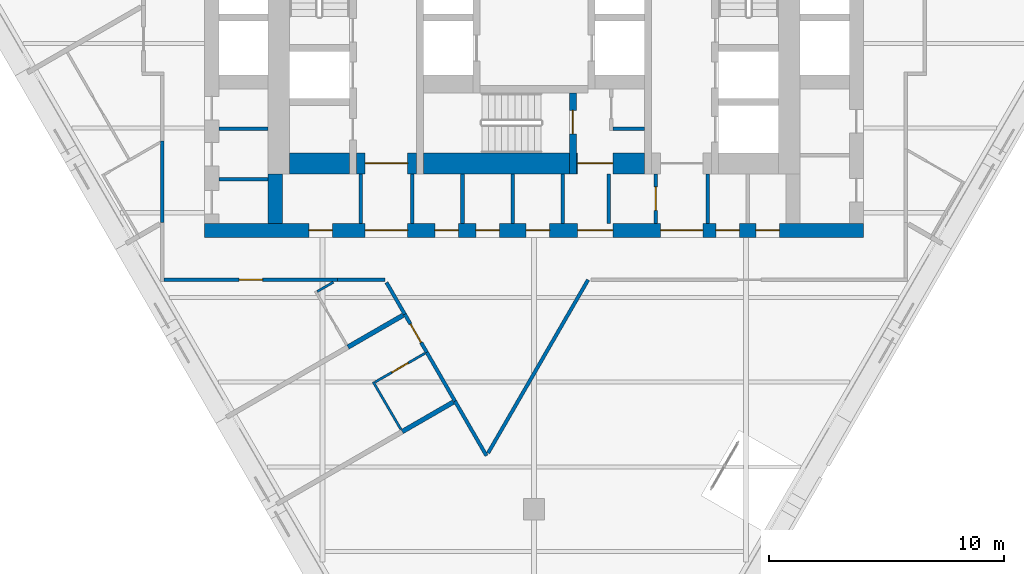
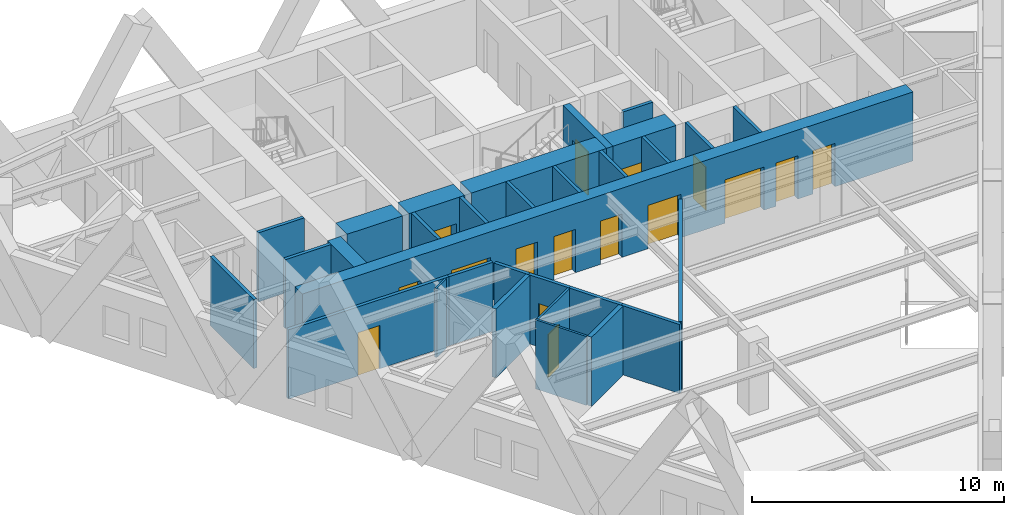
# One storey, part 5 of 10: 31 walls, 16 doors, 16 openings.
"""IFC4 building model written with IfcOpenShell, lengths in metres."""

from ifc_helpers import new_model, si_unit, direction, frame, frame_2d, origin, place, context, subcontext, project, spatial, rectangle, extrude, material, layer, layer_set, type_object, element, fill, save


model = new_model("IFC4")

# Units and contexts
model_context = context("Model", 3, precision=1e-05, world=origin(), true_north=direction((0.0, 1.0)))
body_context = subcontext(model_context, "Body", "Model", "MODEL_VIEW")
ifc_project = project(units=[si_unit("LENGTHUNIT", "METRE"), si_unit("AREAUNIT", "SQUARE_METRE"), si_unit("VOLUMEUNIT", "CUBIC_METRE"), si_unit("PLANEANGLEUNIT", "RADIAN"), si_unit("MASSUNIT", "GRAM", prefix="KILO")], contexts=[model_context])

# Site, building, storey
site_placement = place(None, origin())
site = spatial("IfcSite", under=ifc_project, at=site_placement, CompositionType="ELEMENT")
building_placement = place(site_placement, origin())
building = spatial("IfcBuilding", under=site, at=building_placement, Name="Aloe Facet Convention Tower", CompositionType="ELEMENT")
storey_placement = place(building_placement, frame((0.0, 0.0, 116.800048828125)))
storey = spatial("IfcBuildingStorey", under=building, at=storey_placement, Name="L29", CompositionType="ELEMENT", Elevation=116.800048828125)

# Walls
ifc_material_1 = material(Name="Concrete blockwork partition", Category="masonry")
ifc_layer_1 = layer(ifc_material_1, 0.14990234375)
ifc_layer_set_1 = layer_set([ifc_layer_1], Name="CR-W-PART150")
wall_type_1 = type_object("IfcWallType", Name="CR-W-PART150", PredefinedType="PARTITIONING", material=ifc_layer_set_1)
for number, where, z_axis, x_axis, name in (
    (1, (66.60009765625, 124.16455078125, 0.0), (0.0, 0.0, 1.0), (1.0, 0.0, 0.0), "Core partition L29-007"),
    (2, (66.60009765625, 122.02490234375, 0.0), (0.0, 0.0, 1.0), (1.0, 0.0, 0.0), "Core partition L29-008"),
):
    element("IfcWall", number, at=place(storey_placement, frame(where, z_axis=z_axis, x_axis=x_axis)), inside=storey, type_object=wall_type_1, Name=name, PredefinedType="PARTITIONING", context=body_context, shape_type="SweptSolid", body=[
        extrude(rectangle(XDim=2.099853515625, YDim=0.14990234375, at=frame_2d((1.0498046875, 0.0))), origin(), (0.0, 0.0, 1.0), 3.349853515625),
    ])
for number, where, z_axis, x_axis, name in (
    (3, (72.625, 122.25, 0.0), (0.0, 0.0, 1.0), (0.0, -1.0, 0.0), "Core partition L29-017"),
    (4, (74.824951171875, 122.25, 0.0), (0.0, 0.0, 1.0), (0.0, -1.0, 0.0), "Core partition L29-018"),
    (5, (76.958251953125, 122.25, 0.0), (0.0, 0.0, 1.0), (0.0, -1.0, 0.0), "Core partition L29-024"),
    (6, (79.091552734375, 122.25, 0.0), (0.0, 0.0, 1.0), (0.0, -1.0, 0.0), "Core partition L29-027"),
    (7, (81.22509765625, 122.25, 0.0), (0.0, 0.0, 1.0), (0.0, -1.0, 0.0), "Core partition L29-028"),
    (8, (83.175048828125, 122.25, 0.0), (0.0, 0.0, 1.0), (0.0, -1.0, 0.0), "Core partition L29-035"),
):
    element("IfcWall", number, at=place(storey_placement, frame(where, z_axis=z_axis, x_axis=x_axis)), inside=storey, type_object=wall_type_1, Name=name, PredefinedType="PARTITIONING", context=body_context, shape_type="SweptSolid", body=[
        extrude(rectangle(XDim=2.10009765625, YDim=0.14990234375, at=frame_2d((1.050048828125, 0.0))), origin(), (0.0, 0.0, 1.0), 3.349853515625),
    ])
wall_1_placement = place(storey_placement, frame((83.35009765625, 124.175048828125, 0.0), z_axis=(0.0, 0.0, 1.0), x_axis=(1.0, 0.0, 0.0)))
element("IfcWall", 9, at=wall_1_placement, inside=storey, type_object=wall_type_1, Name="Core partition L29-037", PredefinedType="PARTITIONING", context=body_context, shape_type="SweptSolid", body=[
    extrude(rectangle(XDim=1.349853515625, YDim=0.14990234375, at=frame_2d((0.6748046875, 0.0))), origin(), (0.0, 0.0, 1.0), 3.349853515625),
])

# Wall, opening, door
wall_2_placement = place(storey_placement, frame((85.175048828125, 122.25, 0.0), z_axis=(0.0, 0.0, 1.0), x_axis=(0.0, -1.0, 0.0)))
wall_2 = element("IfcWall", 10, at=wall_2_placement, inside=storey, type_object=wall_type_1, Name="Core partition L29-041", PredefinedType="PARTITIONING", context=body_context, shape_type="SweptSolid", body=[
    extrude(rectangle(XDim=2.10009765625, YDim=0.14990234375, at=frame_2d((1.050048828125, 0.0))), origin(), (0.0, 0.0, 1.0), 3.349853515625),
])
opening_1_placement = place(wall_2_placement, frame((0.550048828125, 0.0, 0.0)))
opening_1 = element("IfcOpeningElement", 11, at=opening_1_placement, cuts=wall_2, Name="Opening L29-CD27", PredefinedType="OPENING", context=body_context, shape_type="SweptSolid", body=[
    extrude(rectangle(XDim=1.0, YDim=2.10009765625, at=frame_2d((0.5, 1.050048828125))), frame((0.0, 0.0849609375, 0.0), z_axis=(0.0, -1.0, 0.0), x_axis=(1.0, 0.0, 0.0)), (0.0, 0.0, 1.0), 0.169921875),
])
ifc_material_2 = material(Name="Steel fire-resisting door set FD60", Category="steel")
door_type_1 = type_object("IfcDoorType", Name="CR-D-ROOM-1000-FD60-SRIGHT", OperationType="SINGLE_SWING_RIGHT", PredefinedType="DOOR", material=ifc_material_2)
door_1_placement = place(opening_1_placement, origin())
door_1 = element("IfcDoor", 12, at=door_1_placement, inside=storey, type_object=door_type_1, Name="Core door L29-CD27", OperationType="SINGLE_SWING_RIGHT", OverallHeight=2.10009765625, OverallWidth=1.0, PredefinedType="DOOR", context=body_context, shape_type="SweptSolid", body=[
    extrude(rectangle(XDim=1.0, YDim=2.10009765625, at=frame_2d((0.5, 1.050048828125))), frame((0.0, 0.02490234375, 0.0), z_axis=(0.0, -1.0, 0.0), x_axis=(1.0, 0.0, 0.0)), (0.0, 0.0, 1.0), 0.050048828125),
])
fill(opening_1, door_1)

# Wall
wall_3_placement = place(storey_placement, frame((87.375, 122.25, 0.0), z_axis=(0.0, 0.0, 1.0), x_axis=(0.0, -1.0, 0.0)))
element("IfcWall", 13, at=wall_3_placement, inside=storey, type_object=wall_type_1, Name="Core partition L29-042", PredefinedType="PARTITIONING", context=body_context, shape_type="SweptSolid", body=[
    extrude(rectangle(XDim=2.10009765625, YDim=0.14990234375, at=frame_2d((1.050048828125, 0.0))), origin(), (0.0, 0.0, 1.0), 3.349853515625),
])

# Wall, opening, door
ifc_material_3 = material(Name="Concrete C70/85", Category="concrete")
ifc_layer_2 = layer(ifc_material_3, 0.300048828125)
ifc_layer_set_2 = layer_set([ifc_layer_2], Name="CR-W-RC300-C7085")
wall_type_2 = type_object("IfcWallType", Name="CR-W-RC300-C7085", PredefinedType="SOLIDWALL", material=ifc_layer_set_2)
wall_4_placement = place(storey_placement, frame((81.64990234375, 125.699951171875, 0.0), z_axis=(0.0, 0.0, 1.0), x_axis=(0.0, -1.0, 0.0)))
wall_4 = element("IfcWall", 14, at=wall_4_placement, inside=storey, type_object=wall_type_2, Name="Core wall L29-029", PredefinedType="SOLIDWALL", context=body_context, shape_type="SweptSolid", body=[
    extrude(rectangle(XDim=3.449951171875, YDim=0.300048828125, at=frame_2d((1.72509765625, 0.0))), origin(), (0.0, 0.0, 1.0), 3.349853515625),
])
opening_2_placement = place(wall_4_placement, frame((0.75, 0.0, 0.0)))
opening_2 = element("IfcOpeningElement", 15, at=opening_2_placement, cuts=wall_4, Name="Opening L29-CD32", PredefinedType="OPENING", context=body_context, shape_type="SweptSolid", body=[
    extrude(rectangle(XDim=1.0, YDim=2.10009765625, at=frame_2d((0.5, 1.050048828125))), frame((0.0, 0.16015625, 0.0), z_axis=(0.0, -1.0, 0.0), x_axis=(1.0, 0.0, 0.0)), (0.0, 0.0, 1.0), 0.320068359375),
])
ifc_material_4 = material(Name="Steel fire-resisting door set FD120", Category="steel")
door_type_2 = type_object("IfcDoorType", Name="CR-D-STAIR-1000-FD120-SLEFT", OperationType="SINGLE_SWING_LEFT", PredefinedType="DOOR", material=ifc_material_4)
door_2_placement = place(opening_2_placement, origin())
door_2 = element("IfcDoor", 16, at=door_2_placement, inside=storey, type_object=door_type_2, Name="Core door L29-CD32", OperationType="SINGLE_SWING_LEFT", OverallHeight=2.10009765625, OverallWidth=1.0, PredefinedType="DOOR", context=body_context, shape_type="SweptSolid", body=[
    extrude(rectangle(XDim=1.0, YDim=2.10009765625, at=frame_2d((0.5, 1.050048828125))), frame((0.0, 0.02490234375, 0.0), z_axis=(0.0, -1.0, 0.0), x_axis=(1.0, 0.0, 0.0)), (0.0, 0.0, 1.0), 0.050048828125),
])
fill(opening_2, door_2)

# Wall, openings, doors
ifc_material_5 = material(Name="Concrete C70/85", Category="concrete")
ifc_layer_3 = layer(ifc_material_5, 0.60009765625)
ifc_layer_set_3 = layer_set([ifc_layer_3], Name="CR-W-RC600-C7085")
wall_type_3 = type_object("IfcWallType", Name="CR-W-RC600-C7085", PredefinedType="SOLIDWALL", material=ifc_layer_set_3)
wall_5_placement = place(storey_placement, frame((66.0, 119.85009765625, 0.0), z_axis=(0.0, 0.0, 1.0), x_axis=(1.0, 0.0, 0.0)))
wall_5 = element("IfcWall", 17, at=wall_5_placement, inside=storey, type_object=wall_type_3, Name="Core wall L29-003", PredefinedType="SOLIDWALL", context=body_context, shape_type="SweptSolid", body=[
    extrude(rectangle(XDim=28.0, YDim=0.60009765625, at=frame_2d((14.0, 0.0))), origin(), (0.0, 0.0, 1.0), 3.349853515625),
])
opening_3_placement = place(wall_5_placement, frame((6.824951171875, 0.0, 0.0)))
opening_3 = element("IfcOpeningElement", 18, at=opening_3_placement, cuts=wall_5, Name="Opening L29-CD16", PredefinedType="OPENING", context=body_context, shape_type="SweptSolid", body=[
    extrude(rectangle(XDim=1.800048828125, YDim=2.10009765625, at=frame_2d((0.89990234375, 1.050048828125))), frame((0.0, 0.31005859375, 0.0), z_axis=(0.0, -1.0, 0.0), x_axis=(1.0, 0.0, 0.0)), (0.0, 0.0, 1.0), 0.6201171875),
])
opening_4_placement = place(wall_5_placement, frame((15.85009765625, 0.0, 0.0)))
opening_4 = element("IfcOpeningElement", 19, at=opening_4_placement, cuts=wall_5, Name="Opening L29-CD17", PredefinedType="OPENING", context=body_context, shape_type="SweptSolid", body=[
    extrude(rectangle(XDim=1.5, YDim=2.10009765625, at=frame_2d((0.75, 1.050048828125))), frame((0.0, 0.31005859375, 0.0), z_axis=(0.0, -1.0, 0.0), x_axis=(1.0, 0.0, 0.0)), (0.0, 0.0, 1.0), 0.6201171875),
])
opening_5_placement = place(wall_5_placement, frame((19.375, 0.0, 0.0)))
opening_5 = element("IfcOpeningElement", 20, at=opening_5_placement, cuts=wall_5, Name="Opening L29-CD18", PredefinedType="OPENING", context=body_context, shape_type="SweptSolid", body=[
    extrude(rectangle(XDim=1.800048828125, YDim=2.10009765625, at=frame_2d((0.89990234375, 1.050048828125))), frame((0.0, 0.31005859375, 0.0), z_axis=(0.0, -1.0, 0.0), x_axis=(1.0, 0.0, 0.0)), (0.0, 0.0, 1.0), 0.6201171875),
])
opening_6_placement = place(wall_5_placement, frame((4.425048828125, 0.0, 0.0)))
opening_6 = element("IfcOpeningElement", 21, at=opening_6_placement, cuts=wall_5, Name="Opening L29-CD23", PredefinedType="OPENING", context=body_context, shape_type="SweptSolid", body=[
    extrude(rectangle(XDim=1.0, YDim=2.10009765625, at=frame_2d((0.5, 1.050048828125))), frame((0.0, 0.31005859375, 0.0), z_axis=(0.0, -1.0, 0.0), x_axis=(1.0, 0.0, 0.0)), (0.0, 0.0, 1.0), 0.6201171875),
])
opening_7_placement = place(wall_5_placement, frame((9.783203125, 0.0, 0.0)))
opening_7 = element("IfcOpeningElement", 22, at=opening_7_placement, cuts=wall_5, Name="Opening L29-CD24", PredefinedType="OPENING", context=body_context, shape_type="SweptSolid", body=[
    extrude(rectangle(XDim=1.0, YDim=2.10009765625, at=frame_2d((0.5, 1.050048828125))), frame((0.0, 0.31005859375, 0.0), z_axis=(0.0, -1.0, 0.0), x_axis=(1.0, 0.0, 0.0)), (0.0, 0.0, 1.0), 0.6201171875),
])
opening_8_placement = place(wall_5_placement, frame((11.52490234375, 0.0, 0.0)))
opening_8 = element("IfcOpeningElement", 23, at=opening_8_placement, cuts=wall_5, Name="Opening L29-CD25", PredefinedType="OPENING", context=body_context, shape_type="SweptSolid", body=[
    extrude(rectangle(XDim=1.0, YDim=2.10009765625, at=frame_2d((0.5, 1.050048828125))), frame((0.0, 0.31005859375, 0.0), z_axis=(0.0, -1.0, 0.0), x_axis=(1.0, 0.0, 0.0)), (0.0, 0.0, 1.0), 0.6201171875),
])
opening_9_placement = place(wall_5_placement, frame((13.658203125, 0.0, 0.0)))
opening_9 = element("IfcOpeningElement", 24, at=opening_9_placement, cuts=wall_5, Name="Opening L29-CD26", PredefinedType="OPENING", context=body_context, shape_type="SweptSolid", body=[
    extrude(rectangle(XDim=1.0, YDim=2.10009765625, at=frame_2d((0.5, 1.050048828125))), frame((0.0, 0.31005859375, 0.0), z_axis=(0.0, -1.0, 0.0), x_axis=(1.0, 0.0, 0.0)), (0.0, 0.0, 1.0), 0.6201171875),
])
opening_10_placement = place(wall_5_placement, frame((21.72509765625, 0.0, 0.0)))
opening_10 = element("IfcOpeningElement", 25, at=opening_10_placement, cuts=wall_5, Name="Opening L29-CD28", PredefinedType="OPENING", context=body_context, shape_type="SweptSolid", body=[
    extrude(rectangle(XDim=1.0, YDim=2.10009765625, at=frame_2d((0.5, 1.050048828125))), frame((0.0, 0.31005859375, 0.0), z_axis=(0.0, -1.0, 0.0), x_axis=(1.0, 0.0, 0.0)), (0.0, 0.0, 1.0), 0.6201171875),
])
opening_11_placement = place(wall_5_placement, frame((23.425048828125, 0.0, 0.0)))
opening_11 = element("IfcOpeningElement", 26, at=opening_11_placement, cuts=wall_5, Name="Opening L29-CD29", PredefinedType="OPENING", context=body_context, shape_type="SweptSolid", body=[
    extrude(rectangle(XDim=1.0, YDim=2.10009765625, at=frame_2d((0.5, 1.050048828125))), frame((0.0, 0.31005859375, 0.0), z_axis=(0.0, -1.0, 0.0), x_axis=(1.0, 0.0, 0.0)), (0.0, 0.0, 1.0), 0.6201171875),
])
ifc_material_6 = material(Name="Steel fire-resisting door set FD60", Category="steel")
door_type_3 = type_object("IfcDoorType", Name="CR-D-EXIT-1500-FD60-DD", OperationType="DOUBLE_DOOR_DOUBLE_SWING", PredefinedType="DOOR", material=ifc_material_6)
door_3_placement = place(opening_4_placement, origin())
door_3 = element("IfcDoor", 27, at=door_3_placement, inside=storey, type_object=door_type_3, Name="Core door L29-CD17", OperationType="DOUBLE_DOOR_DOUBLE_SWING", OverallHeight=2.10009765625, OverallWidth=1.5, PredefinedType="DOOR", context=body_context, shape_type="SweptSolid", body=[
    extrude(rectangle(XDim=1.5, YDim=2.10009765625, at=frame_2d((0.75, 1.050048828125))), frame((0.0, 0.02490234375, 0.0), z_axis=(0.0, -1.0, 0.0), x_axis=(1.0, 0.0, 0.0)), (0.0, 0.0, 1.0), 0.050048828125),
])
fill(opening_4, door_3)
ifc_material_7 = material(Name="Steel fire-resisting door set FD60", Category="steel")
door_type_4 = type_object("IfcDoorType", Name="CR-D-EXIT-1800-FD60-DD", OperationType="DOUBLE_DOOR_DOUBLE_SWING", PredefinedType="DOOR", material=ifc_material_7)
door_4_placement = place(opening_3_placement, origin())
door_4 = element("IfcDoor", 28, at=door_4_placement, inside=storey, type_object=door_type_4, Name="Core door L29-CD16", OperationType="DOUBLE_DOOR_DOUBLE_SWING", OverallHeight=2.10009765625, OverallWidth=1.800048828125, PredefinedType="DOOR", context=body_context, shape_type="SweptSolid", body=[
    extrude(rectangle(XDim=1.800048828125, YDim=2.10009765625, at=frame_2d((0.89990234375, 1.050048828125))), frame((0.0, 0.02490234375, 0.0), z_axis=(0.0, -1.0, 0.0), x_axis=(1.0, 0.0, 0.0)), (0.0, 0.0, 1.0), 0.050048828125),
])
fill(opening_3, door_4)
door_5_placement = place(opening_5_placement, origin())
door_5 = element("IfcDoor", 29, at=door_5_placement, inside=storey, type_object=door_type_4, Name="Core door L29-CD18", OperationType="DOUBLE_DOOR_DOUBLE_SWING", OverallHeight=2.10009765625, OverallWidth=1.800048828125, PredefinedType="DOOR", context=body_context, shape_type="SweptSolid", body=[
    extrude(rectangle(XDim=1.800048828125, YDim=2.10009765625, at=frame_2d((0.89990234375, 1.050048828125))), frame((0.0, 0.02490234375, 0.0), z_axis=(0.0, -1.0, 0.0), x_axis=(1.0, 0.0, 0.0)), (0.0, 0.0, 1.0), 0.050048828125),
])
fill(opening_5, door_5)
door_6_placement = place(opening_6_placement, origin())
door_6 = element("IfcDoor", 30, at=door_6_placement, inside=storey, type_object=door_type_1, Name="Core door L29-CD23", OperationType="SINGLE_SWING_RIGHT", OverallHeight=2.10009765625, OverallWidth=1.0, PredefinedType="DOOR", context=body_context, shape_type="SweptSolid", body=[
    extrude(rectangle(XDim=1.0, YDim=2.10009765625, at=frame_2d((0.5, 1.050048828125))), frame((0.0, 0.02490234375, 0.0), z_axis=(0.0, -1.0, 0.0), x_axis=(1.0, 0.0, 0.0)), (0.0, 0.0, 1.0), 0.050048828125),
])
fill(opening_6, door_6)
door_7_placement = place(opening_7_placement, origin())
door_7 = element("IfcDoor", 31, at=door_7_placement, inside=storey, type_object=door_type_1, Name="Core door L29-CD24", OperationType="SINGLE_SWING_RIGHT", OverallHeight=2.10009765625, OverallWidth=1.0, PredefinedType="DOOR", context=body_context, shape_type="SweptSolid", body=[
    extrude(rectangle(XDim=1.0, YDim=2.10009765625, at=frame_2d((0.5, 1.050048828125))), frame((0.0, 0.02490234375, 0.0), z_axis=(0.0, -1.0, 0.0), x_axis=(1.0, 0.0, 0.0)), (0.0, 0.0, 1.0), 0.050048828125),
])
fill(opening_7, door_7)
door_8_placement = place(opening_8_placement, origin())
door_8 = element("IfcDoor", 32, at=door_8_placement, inside=storey, type_object=door_type_1, Name="Core door L29-CD25", OperationType="SINGLE_SWING_RIGHT", OverallHeight=2.10009765625, OverallWidth=1.0, PredefinedType="DOOR", context=body_context, shape_type="SweptSolid", body=[
    extrude(rectangle(XDim=1.0, YDim=2.10009765625, at=frame_2d((0.5, 1.050048828125))), frame((0.0, 0.02490234375, 0.0), z_axis=(0.0, -1.0, 0.0), x_axis=(1.0, 0.0, 0.0)), (0.0, 0.0, 1.0), 0.050048828125),
])
fill(opening_8, door_8)
door_9_placement = place(opening_9_placement, origin())
door_9 = element("IfcDoor", 33, at=door_9_placement, inside=storey, type_object=door_type_1, Name="Core door L29-CD26", OperationType="SINGLE_SWING_RIGHT", OverallHeight=2.10009765625, OverallWidth=1.0, PredefinedType="DOOR", context=body_context, shape_type="SweptSolid", body=[
    extrude(rectangle(XDim=1.0, YDim=2.10009765625, at=frame_2d((0.5, 1.050048828125))), frame((0.0, 0.02490234375, 0.0), z_axis=(0.0, -1.0, 0.0), x_axis=(1.0, 0.0, 0.0)), (0.0, 0.0, 1.0), 0.050048828125),
])
fill(opening_9, door_9)
door_10_placement = place(opening_10_placement, origin())
door_10 = element("IfcDoor", 34, at=door_10_placement, inside=storey, type_object=door_type_1, Name="Core door L29-CD28", OperationType="SINGLE_SWING_RIGHT", OverallHeight=2.10009765625, OverallWidth=1.0, PredefinedType="DOOR", context=body_context, shape_type="SweptSolid", body=[
    extrude(rectangle(XDim=1.0, YDim=2.10009765625, at=frame_2d((0.5, 1.050048828125))), frame((0.0, 0.02490234375, 0.0), z_axis=(0.0, -1.0, 0.0), x_axis=(1.0, 0.0, 0.0)), (0.0, 0.0, 1.0), 0.050048828125),
])
fill(opening_10, door_10)
door_11_placement = place(opening_11_placement, origin())
door_11 = element("IfcDoor", 35, at=door_11_placement, inside=storey, type_object=door_type_1, Name="Core door L29-CD29", OperationType="SINGLE_SWING_RIGHT", OverallHeight=2.10009765625, OverallWidth=1.0, PredefinedType="DOOR", context=body_context, shape_type="SweptSolid", body=[
    extrude(rectangle(XDim=1.0, YDim=2.10009765625, at=frame_2d((0.5, 1.050048828125))), frame((0.0, 0.02490234375, 0.0), z_axis=(0.0, -1.0, 0.0), x_axis=(1.0, 0.0, 0.0)), (0.0, 0.0, 1.0), 0.050048828125),
])
fill(opening_11, door_11)

# Walls
wall_6_placement = place(storey_placement, frame((69.0, 122.25, 0.0), z_axis=(0.0, 0.0, 1.0), x_axis=(0.0, -1.0, 0.0)))
element("IfcWall", 36, at=wall_6_placement, inside=storey, type_object=wall_type_3, Name="Core wall L29-010", PredefinedType="SOLIDWALL", context=body_context, shape_type="SweptSolid", body=[
    extrude(rectangle(XDim=2.10009765625, YDim=0.60009765625, at=frame_2d((1.050048828125, 0.0))), origin(), (0.0, 0.0, 1.0), 3.349853515625),
])
ifc_material_8 = material(Name="Concrete C70/85", Category="concrete")
ifc_layer_4 = layer(ifc_material_8, 0.89990234375)
ifc_layer_set_4 = layer_set([ifc_layer_4], Name="CR-W-RC900-C7085")
wall_type_4 = type_object("IfcWallType", Name="CR-W-RC900-C7085", PredefinedType="SOLIDWALL", material=ifc_layer_set_4)
wall_7_placement = place(storey_placement, frame((69.60009765625, 122.699951171875, 0.0), z_axis=(0.0, 0.0, 1.0), x_axis=(1.0, 0.0, 0.0)))
element("IfcWall", 37, at=wall_7_placement, inside=storey, type_object=wall_type_4, Name="Core wall L29-013", PredefinedType="SOLIDWALL", context=body_context, shape_type="SweptSolid", body=[
    extrude(rectangle(XDim=2.5498046875, YDim=0.89990234375, at=frame_2d((1.27490234375, 0.0))), origin(), (0.0, 0.0, 1.0), 3.349853515625),
])

# Wall, opening, door
wall_8_placement = place(storey_placement, frame((72.449951171875, 122.699951171875, 0.0), z_axis=(0.0, 0.0, 1.0), x_axis=(1.0, 0.0, 0.0)))
wall_8 = element("IfcWall", 38, at=wall_8_placement, inside=storey, type_object=wall_type_4, Name="Core wall L29-016", PredefinedType="SOLIDWALL", context=body_context, shape_type="SweptSolid", body=[
    extrude(rectangle(XDim=2.550048828125, YDim=0.89990234375, at=frame_2d((1.27490234375, 0.0))), origin(), (0.0, 0.0, 1.0), 3.349853515625),
])
opening_12_placement = place(wall_8_placement, frame((0.375, 0.0, 0.0)))
opening_12 = element("IfcOpeningElement", 39, at=opening_12_placement, cuts=wall_8, Name="Opening L29-CD14", PredefinedType="OPENING", context=body_context, shape_type="SweptSolid", body=[
    extrude(rectangle(XDim=1.800048828125, YDim=2.10009765625, at=frame_2d((0.89990234375, 1.050048828125))), frame((0.0, 0.4599609375, 0.0), z_axis=(0.0, -1.0, 0.0), x_axis=(1.0, 0.0, 0.0)), (0.0, 0.0, 1.0), 0.919921875),
])
ifc_material_9 = material(Name="Steel fire-resisting door set FD120", Category="steel")
door_type_5 = type_object("IfcDoorType", Name="CR-D-EXIT-1800-FD120-DD", OperationType="DOUBLE_DOOR_DOUBLE_SWING", PredefinedType="DOOR", material=ifc_material_9)
door_12_placement = place(opening_12_placement, origin())
door_12 = element("IfcDoor", 40, at=door_12_placement, inside=storey, type_object=door_type_5, Name="Core door L29-CD14", OperationType="DOUBLE_DOOR_DOUBLE_SWING", OverallHeight=2.10009765625, OverallWidth=1.800048828125, PredefinedType="DOOR", context=body_context, shape_type="SweptSolid", body=[
    extrude(rectangle(XDim=1.800048828125, YDim=2.10009765625, at=frame_2d((0.89990234375, 1.050048828125))), frame((0.0, 0.02490234375, 0.0), z_axis=(0.0, -1.0, 0.0), x_axis=(1.0, 0.0, 0.0)), (0.0, 0.0, 1.0), 0.050048828125),
])
fill(opening_12, door_12)

# Wall
wall_9_placement = place(storey_placement, frame((75.300048828125, 122.699951171875, 0.0), z_axis=(0.0, 0.0, 1.0), x_axis=(1.0, 0.0, 0.0)))
element("IfcWall", 41, at=wall_9_placement, inside=storey, type_object=wall_type_4, Name="Core wall L29-023", PredefinedType="SOLIDWALL", context=body_context, shape_type="SweptSolid", body=[
    extrude(rectangle(XDim=6.199951171875, YDim=0.89990234375, at=frame_2d((3.10009765625, 0.0))), origin(), (0.0, 0.0, 1.0), 3.349853515625),
])

# Wall, opening, door
wall_10_placement = place(storey_placement, frame((81.800048828125, 122.699951171875, 0.0), z_axis=(0.0, 0.0, 1.0), x_axis=(1.0, 0.0, 0.0)))
wall_10 = element("IfcWall", 42, at=wall_10_placement, inside=storey, type_object=wall_type_4, Name="Core wall L29-030", PredefinedType="SOLIDWALL", context=body_context, shape_type="SweptSolid", body=[
    extrude(rectangle(XDim=2.89990234375, YDim=0.89990234375, at=frame_2d((1.449951171875, 0.0))), origin(), (0.0, 0.0, 1.0), 3.349853515625),
])
opening_13_placement = place(wall_10_placement, frame((0.050048828125, 0.0, 0.0)))
opening_13 = element("IfcOpeningElement", 43, at=opening_13_placement, cuts=wall_10, Name="Opening L29-CD15", PredefinedType="OPENING", context=body_context, shape_type="SweptSolid", body=[
    extrude(rectangle(XDim=1.5, YDim=2.10009765625, at=frame_2d((0.75, 1.050048828125))), frame((0.0, 0.4599609375, 0.0), z_axis=(0.0, -1.0, 0.0), x_axis=(1.0, 0.0, 0.0)), (0.0, 0.0, 1.0), 0.919921875),
])
door_13_placement = place(opening_13_placement, origin())
door_13 = element("IfcDoor", 44, at=door_13_placement, inside=storey, type_object=door_type_3, Name="Core door L29-CD15", OperationType="DOUBLE_DOOR_DOUBLE_SWING", OverallHeight=2.10009765625, OverallWidth=1.5, PredefinedType="DOOR", context=body_context, shape_type="SweptSolid", body=[
    extrude(rectangle(XDim=1.5, YDim=2.10009765625, at=frame_2d((0.75, 1.050048828125))), frame((0.0, 0.02490234375, 0.0), z_axis=(0.0, -1.0, 0.0), x_axis=(1.0, 0.0, 0.0)), (0.0, 0.0, 1.0), 0.050048828125),
])
fill(opening_13, door_13)

# Wall
ifc_material_10 = material(Name="Gypsum board partition on steel studs", Category="steel")
ifc_layer_5 = layer(ifc_material_10, 0.14990234375)
ifc_layer_set_5 = layer_set([ifc_layer_5], Name="IN-W-CORR")
wall_type_5 = type_object("IfcWallType", Name="IN-W-CORR", PredefinedType="PARTITIONING", material=ifc_layer_set_5)
wall_11_placement = place(storey_placement, frame((76.638916015625, 112.59228515625, 0.0), z_axis=(0.0, 0.0, 1.0), x_axis=(0.499958946799, -0.866049104564, 0.0)))
element("IfcWall", 45, at=wall_11_placement, inside=storey, type_object=wall_type_5, Name="Partition L29-W002", PredefinedType="PARTITIONING", context=body_context, shape_type="SweptSolid", body=[
    extrude(rectangle(XDim=2.680908203125, YDim=0.14990234375, at=frame_2d((1.34033203125, 0.0))), origin(), (0.0, 0.0, 1.0), 3.349853515625),
])

# Wall, opening, door
wall_12_placement = place(storey_placement, frame((74.506591796875, 116.28515625, 0.0), z_axis=(0.0, 0.0, 1.0), x_axis=(0.499998297855, -0.866026386516, 0.0)))
wall_12 = element("IfcWall", 46, at=wall_12_placement, inside=storey, type_object=wall_type_5, Name="Partition L29-W007", PredefinedType="PARTITIONING", context=body_context, shape_type="SweptSolid", body=[
    extrude(rectangle(XDim=1.8642578125, YDim=0.14990234375, at=frame_2d((0.93212890625, 0.0))), origin(), (0.0, 0.0, 1.0), 3.349853515625),
])
opening_14_placement = place(wall_12_placement, frame((0.482177734375, 0.0, 0.0)))
opening_14 = element("IfcOpeningElement", 47, at=opening_14_placement, cuts=wall_12, Name="Opening L29-002", PredefinedType="OPENING", context=body_context, shape_type="SweptSolid", body=[
    extrude(rectangle(XDim=0.89990234375, YDim=2.10009765625, at=frame_2d((0.449951171875, 1.050048828125))), frame((0.0, 0.0849609375, 0.0), z_axis=(0.0, -1.0, 0.0), x_axis=(1.0, 0.0, 0.0)), (0.0, 0.0, 1.0), 0.169921875),
])
ifc_material_11 = material(Name="Hardwood flush door FD30S", Category="wood")
door_type_6 = type_object("IfcDoorType", Name="IN-D-GUEST", OperationType="SINGLE_SWING_LEFT", PredefinedType="DOOR", material=ifc_material_11)
door_14_placement = place(opening_14_placement, origin())
door_14 = element("IfcDoor", 48, at=door_14_placement, inside=storey, type_object=door_type_6, Name="Door L29-002", OperationType="SINGLE_SWING_LEFT", OverallHeight=2.10009765625, OverallWidth=0.89990234375, PredefinedType="DOOR", context=body_context, shape_type="SweptSolid", body=[
    extrude(rectangle(XDim=0.89990234375, YDim=2.10009765625, at=frame_2d((0.449951171875, 1.050048828125))), frame((0.0, 0.02490234375, 0.0), z_axis=(0.0, -1.0, 0.0), x_axis=(1.0, 0.0, 0.0)), (0.0, 0.0, 1.0), 0.050048828125),
])
fill(opening_14, door_14)

# Walls
wall_13_placement = place(storey_placement, frame((75.438720703125, 114.670654296875, 0.0), z_axis=(0.0, 0.0, 1.0), x_axis=(0.500077600433, -0.865980596518, 0.0)))
element("IfcWall", 49, at=wall_13_placement, inside=storey, type_object=wall_type_5, Name="Partition L29-W008", PredefinedType="PARTITIONING", context=body_context, shape_type="SweptSolid", body=[
    extrude(rectangle(XDim=2.39990234375, YDim=0.14990234375, at=frame_2d((1.199951171875, 0.0))), origin(), (0.0, 0.0, 1.0), 3.349853515625),
])
wall_14_placement = place(storey_placement, frame((71.6435546875, 117.75, 0.0), z_axis=(0.0, 0.0, 1.0), x_axis=(1.0, 0.0, 0.0)))
element("IfcWall", 50, at=wall_14_placement, inside=storey, type_object=wall_type_5, Name="Partition L29-W013", PredefinedType="PARTITIONING", context=body_context, shape_type="SweptSolid", body=[
    extrude(rectangle(XDim=2.017333984375, YDim=0.14990234375, at=frame_2d((1.0087890625, 0.0))), origin(), (0.0, 0.0, 1.0), 3.349853515625),
])

# Wall, opening, door
wall_15_placement = place(storey_placement, frame((64.27490234375, 117.75, 0.0), z_axis=(0.0, 0.0, 1.0), x_axis=(1.0, 0.0, 0.0)))
wall_15 = element("IfcWall", 51, at=wall_15_placement, inside=storey, type_object=wall_type_5, Name="Partition L29-W014", PredefinedType="PARTITIONING", context=body_context, shape_type="SweptSolid", body=[
    extrude(rectangle(XDim=7.36865234375, YDim=0.14990234375, at=frame_2d((3.684326171875, 0.0))), origin(), (0.0, 0.0, 1.0), 3.349853515625),
])
opening_15_placement = place(wall_15_placement, frame((3.184326171875, 0.0, 0.0)))
opening_15 = element("IfcOpeningElement", 52, at=opening_15_placement, cuts=wall_15, Name="Opening L29-001", PredefinedType="OPENING", context=body_context, shape_type="SweptSolid", body=[
    extrude(rectangle(XDim=1.0, YDim=2.10009765625, at=frame_2d((0.5, 1.050048828125))), frame((0.0, 0.0849609375, 0.0), z_axis=(0.0, -1.0, 0.0), x_axis=(1.0, 0.0, 0.0)), (0.0, 0.0, 1.0), 0.169921875),
])
ifc_material_12 = material(Name="Hardwood flush door FD30S", Category="wood")
door_type_7 = type_object("IfcDoorType", Name="IN-D-WIDE", OperationType="SINGLE_SWING_LEFT", PredefinedType="DOOR", material=ifc_material_12)
door_15_placement = place(opening_15_placement, origin())
door_15 = element("IfcDoor", 53, at=door_15_placement, inside=storey, type_object=door_type_7, Name="Door L29-001", OperationType="SINGLE_SWING_LEFT", OverallHeight=2.10009765625, OverallWidth=1.0, PredefinedType="DOOR", context=body_context, shape_type="SweptSolid", body=[
    extrude(rectangle(XDim=1.0, YDim=2.10009765625, at=frame_2d((0.5, 1.050048828125))), frame((0.0, 0.02490234375, 0.0), z_axis=(0.0, -1.0, 0.0), x_axis=(1.0, 0.0, 0.0)), (0.0, 0.0, 1.0), 0.050048828125),
])
fill(opening_15, door_15)

# Walls
wall_16_placement = place(storey_placement, frame((73.725830078125, 117.637451171875, 0.0), z_axis=(0.0, 0.0, 1.0), x_axis=(0.5000066674, -0.866021554325, 0.0)))
element("IfcWall", 54, at=wall_16_placement, inside=storey, type_object=wall_type_5, Name="Partition L29-W015", PredefinedType="PARTITIONING", context=body_context, shape_type="SweptSolid", body=[
    extrude(rectangle(XDim=1.5615234375, YDim=0.14990234375, at=frame_2d((0.78076171875, 0.0))), origin(), (0.0, 0.0, 1.0), 3.349853515625),
])
wall_17_placement = place(storey_placement, frame((78.044189453125, 110.383056640625, 0.0), z_axis=(0.0, 0.0, 1.0), x_axis=(0.500009807312, 0.866019741456, 0.0)))
element("IfcWall", 55, at=wall_17_placement, inside=storey, type_object=wall_type_5, Name="Partition L29-W016", PredefinedType="PARTITIONING", context=body_context, shape_type="SweptSolid", body=[
    extrude(rectangle(XDim=8.506591796875, YDim=0.14990234375, at=frame_2d((4.25341796875, 0.0))), origin(), (0.0, 0.0, 1.0), 3.349853515625),
])
wall_18_placement = place(storey_placement, frame((64.199951171875, 120.1826171875, 0.0), z_axis=(0.0, 0.0, 1.0), x_axis=(0.0, 1.0, 0.0)))
element("IfcWall", 56, at=wall_18_placement, inside=storey, type_object=wall_type_5, Name="Partition L29-W029", PredefinedType="PARTITIONING", context=body_context, shape_type="SweptSolid", body=[
    extrude(rectangle(XDim=3.464111328125, YDim=0.14990234375, at=frame_2d((1.73193359375, 0.0))), origin(), (0.0, 0.0, 1.0), 3.349853515625),
])
ifc_material_13 = material(Name="Gypsum board partition on steel studs", Category="steel")
ifc_layer_6 = layer(ifc_material_13, 0.10009765625)
ifc_layer_set_6 = layer_set([ifc_layer_6], Name="IN-W-PART")
wall_type_6 = type_object("IfcWallType", Name="IN-W-PART", PredefinedType="PARTITIONING", material=ifc_layer_set_6)
wall_19_placement = place(storey_placement, frame((73.161865234375, 113.413818359375, 0.0), z_axis=(0.0, 0.0, 1.0), x_axis=(0.503637463939, -0.863915102841, 0.0)))
element("IfcWall", 57, at=wall_19_placement, inside=storey, type_object=wall_type_6, Name="Partition L29-W003", PredefinedType="PARTITIONING", context=body_context, shape_type="SweptSolid", body=[
    extrude(rectangle(XDim=2.33984375, YDim=0.10009765625, at=frame_2d((1.169921875, 0.0))), origin(), (0.0, 0.0, 1.0), 3.349853515625),
])

# Wall, opening, door
wall_20_placement = place(storey_placement, frame((73.239013671875, 113.400634765625, 0.0), z_axis=(0.0, 0.0, 1.0), x_axis=(0.866031582473, 0.499989298045, 0.0)))
wall_20 = element("IfcWall", 58, at=wall_20_placement, inside=storey, type_object=wall_type_6, Name="Partition L29-W006", PredefinedType="PARTITIONING", context=body_context, shape_type="SweptSolid", body=[
    extrude(rectangle(XDim=2.455078125, YDim=0.10009765625, at=frame_2d((1.2275390625, 0.0))), origin(), (0.0, 0.0, 1.0), 3.349853515625),
])
opening_16_placement = place(wall_20_placement, frame((0.827392578125, 0.0, 0.0)))
opening_16 = element("IfcOpeningElement", 59, at=opening_16_placement, cuts=wall_20, Name="Opening L29-010", PredefinedType="OPENING", context=body_context, shape_type="SweptSolid", body=[
    extrude(rectangle(XDim=0.800048828125, YDim=2.10009765625, at=frame_2d((0.39990234375, 1.050048828125))), frame((0.0, 0.06005859375, 0.0), z_axis=(0.0, -1.0, 0.0), x_axis=(1.0, 0.0, 0.0)), (0.0, 0.0, 1.0), 0.1201171875),
])
ifc_material_14 = material(Name="Timber flush door", Category="wood")
door_type_8 = type_object("IfcDoorType", Name="IN-D-BATH", OperationType="SINGLE_SWING_LEFT", PredefinedType="DOOR", material=ifc_material_14)
door_16_placement = place(opening_16_placement, origin())
door_16 = element("IfcDoor", 60, at=door_16_placement, inside=storey, type_object=door_type_8, Name="Door L29-010", OperationType="SINGLE_SWING_LEFT", OverallHeight=2.10009765625, OverallWidth=0.800048828125, PredefinedType="DOOR", context=body_context, shape_type="SweptSolid", body=[
    extrude(rectangle(XDim=0.800048828125, YDim=2.10009765625, at=frame_2d((0.39990234375, 1.050048828125))), frame((0.0, 0.02490234375, 0.0), z_axis=(0.0, -1.0, 0.0), x_axis=(1.0, 0.0, 0.0)), (0.0, 0.0, 1.0), 0.050048828125),
])
fill(opening_16, door_16)

# Walls
wall_21_placement = place(storey_placement, frame((70.78369140625, 117.25341796875, 0.0), z_axis=(0.0, 0.0, 1.0), x_axis=(0.865984347675, 0.500071104525, 0.0)))
element("IfcWall", 61, at=wall_21_placement, inside=storey, type_object=wall_type_6, Name="Partition L29-W011", PredefinedType="PARTITIONING", context=body_context, shape_type="SweptSolid", body=[
    extrude(rectangle(XDim=0.7880859375, YDim=0.10009765625, at=frame_2d((0.39404296875, 0.0))), origin(), (0.0, 0.0, 1.0), 3.349853515625),
])
ifc_material_15 = material(Name="Gypsum board partition on steel studs", Category="steel")
ifc_layer_7 = layer(ifc_material_15, 0.199951171875)
ifc_layer_set_7 = layer_set([ifc_layer_7], Name="IN-W-PARTY")
wall_type_7 = type_object("IfcWallType", Name="IN-W-PARTY", PredefinedType="PARTITIONING", material=ifc_layer_set_7)
wall_22_placement = place(storey_placement, frame((74.395751953125, 111.29736328125, 0.0), z_axis=(0.0, 0.0, 1.0), x_axis=(0.866039519639, 0.499975549825, 0.0)))
element("IfcWall", 62, at=wall_22_placement, inside=storey, type_object=wall_type_7, Name="Partition L29-W005", PredefinedType="PARTITIONING", context=body_context, shape_type="SweptSolid", body=[
    extrude(rectangle(XDim=2.505126953125, YDim=0.199951171875, at=frame_2d((1.25244140625, 0.0))), origin(), (0.0, 0.0, 1.0), 3.349853515625),
])
wall_23_placement = place(storey_placement, frame((72.09033203125, 114.890380859375, 0.0), z_axis=(0.0, 0.0, 1.0), x_axis=(0.866074375271, 0.499915169302, 0.0)))
element("IfcWall", 63, at=wall_23_placement, inside=storey, type_object=wall_type_7, Name="Partition L29-W010", PredefinedType="PARTITIONING", context=body_context, shape_type="SweptSolid", body=[
    extrude(rectangle(XDim=2.705078125, YDim=0.199951171875, at=frame_2d((1.3525390625, 0.0))), origin(), (0.0, 0.0, 1.0), 3.349853515625),
])

save(model, "model.ifc")
